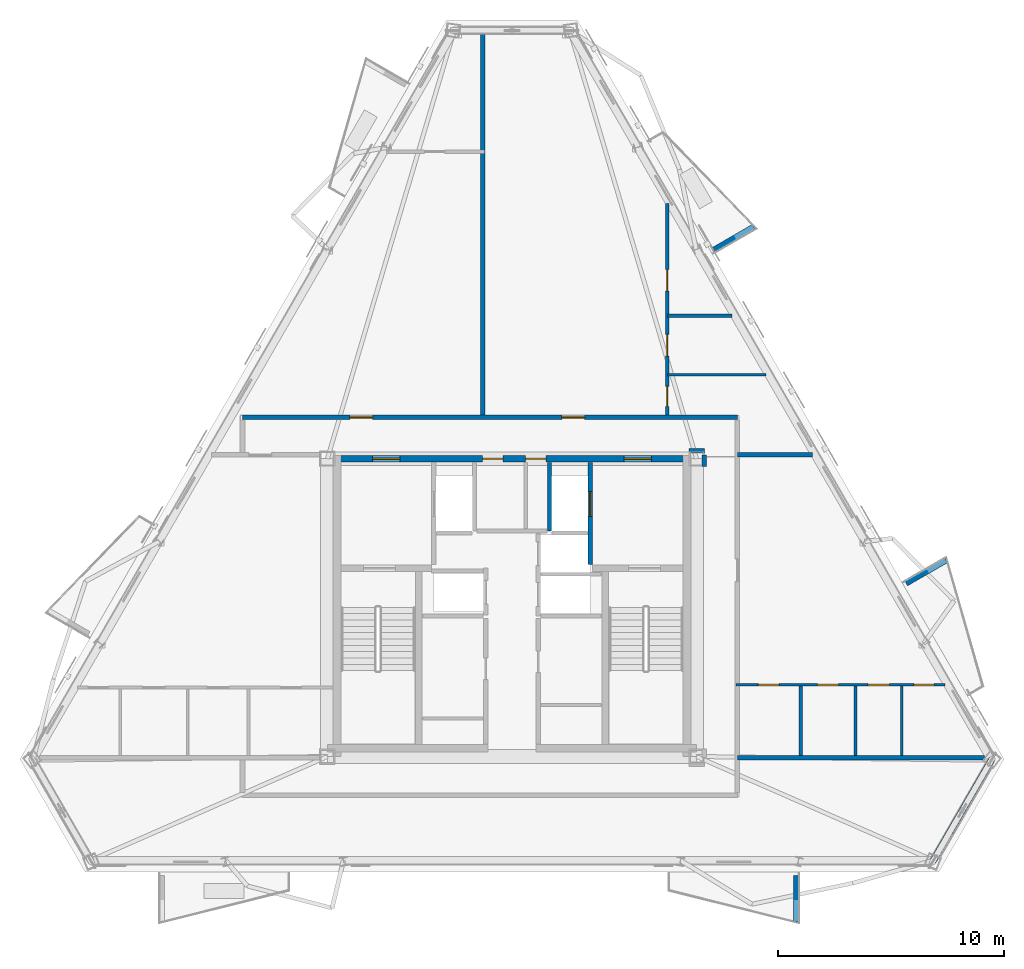
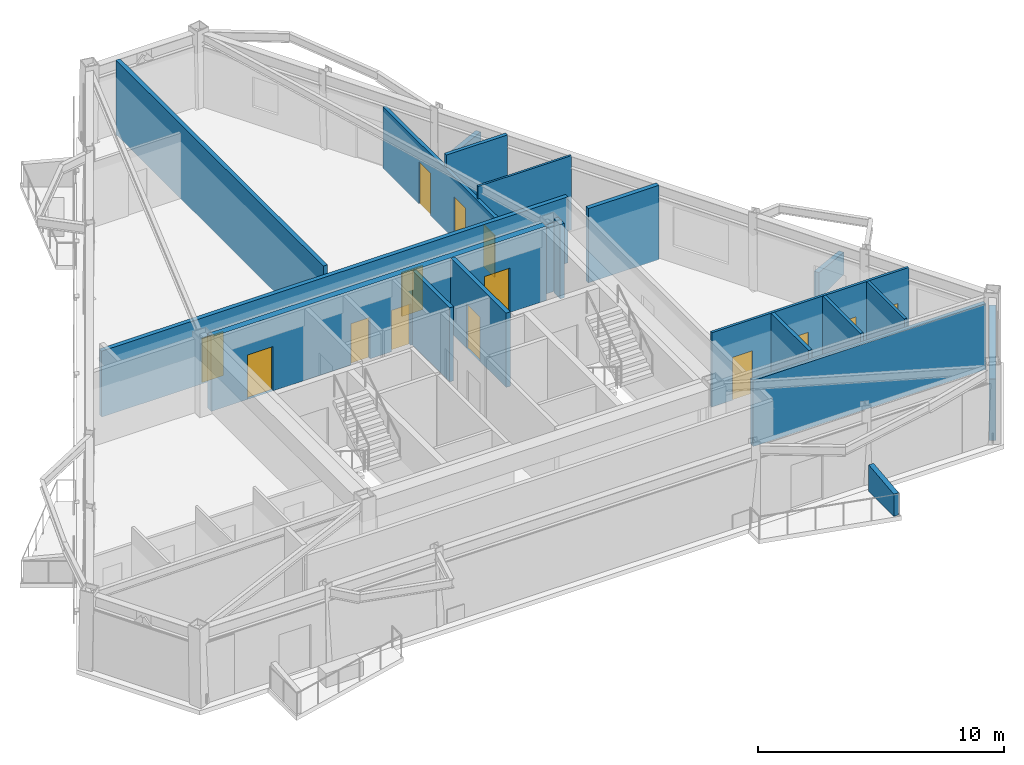
# One storey, part 4 of 9: 20 walls, 14 doors, 14 openings.
"""IFC4 building model written with IfcOpenShell, lengths in metres."""

from ifc_helpers import new_model, si_unit, direction, frame, frame_2d, origin, place, context, subcontext, project, spatial, polyline, rectangle, outline, extrude, material, layer, layer_set, type_object, element, fill, save


model = new_model("IFC4")

# Units and contexts
model_context = context("Model", 3, precision=1e-05, world=origin(), true_north=direction((0.0, 1.0)))
body_context = subcontext(model_context, "Body", "Model", "MODEL_VIEW")
ifc_project = project(units=[si_unit("LENGTHUNIT", "METRE"), si_unit("AREAUNIT", "SQUARE_METRE"), si_unit("VOLUMEUNIT", "CUBIC_METRE"), si_unit("PLANEANGLEUNIT", "RADIAN"), si_unit("MASSUNIT", "GRAM", prefix="KILO")], contexts=[model_context])

# Site, building, storey
site_placement = place(None, origin())
site = spatial("IfcSite", under=ifc_project, at=site_placement, CompositionType="ELEMENT")
building_placement = place(site_placement, origin())
building = spatial("IfcBuilding", under=site, at=building_placement, Name="Oramaril Tower", CompositionType="ELEMENT")
storey_placement = place(building_placement, frame((0.0, 0.0, 257.699951171875)))
storey = spatial("IfcBuildingStorey", under=building, at=storey_placement, Name="L68", CompositionType="ELEMENT", Elevation=257.699951171875)

# Walls
ifc_material_1 = material(Name="Warm Cream Limestone", Category="masonry")
ifc_layer_1 = layer(ifc_material_1, 0.2900390625)
ifc_layer_set_1 = layer_set([ifc_layer_1], Name="WT-EXT29")
wall_type_1 = type_object("IfcWallType", Name="WT-EXT29", PredefinedType="SOLIDWALL", material=ifc_layer_set_1)
wall_1_placement = place(storey_placement, frame((56.07568359375, 6.353515625, 0.0), z_axis=(0.0, 0.0, 1.0), x_axis=(0.500017221754, 0.866015460572, 0.0)))
element("IfcWall", 1, at=wall_1_placement, inside=storey, type_object=wall_type_1, Name="L68 Tower Limestone Facade Wall 3M", PredefinedType="SOLIDWALL", context=body_context, shape_type="SweptSolid", body=[
    extrude(rectangle(XDim=5.233642578125, YDim=0.2900390625, at=frame_2d((2.61669921875, 0.0))), origin(), (0.0, 0.0, 1.0), 3.05810546875),
])
ifc_material_2 = material(Name="Concrete C40/50", Category="concrete")
ifc_layer_2 = layer(ifc_material_2, 0.22998046875)
ifc_layer_set_2 = layer_set([ifc_layer_2], Name="WT-PRP23")
wall_type_2 = type_object("IfcWallType", Name="WT-PRP23", PredefinedType="PARAPET", material=ifc_layer_set_2)
for number, where, z_axis, x_axis, name in (
    (2, (50.036376953125, 5.755615234375, 0.0), (0.0, 0.0, 1.0), (0.0, -1.0, 0.0), "L68 Trapezoidal Balcony Frame Cheek L68-BAL-S2-R"),
    (3, (54.908203125, 18.63671875, 0.0), (0.0, 0.0, 1.0), (0.866042246008, 0.499970827278, 0.0), "L68 Trapezoidal Balcony Frame Cheek L68-BAL-NE1-R"),
    (4, (46.3994140625, 33.37451171875, 0.0), (0.0, 0.0, 1.0), (0.866012356593, 0.500022597718, 0.0), "L68 Trapezoidal Balcony Frame Cheek L68-BAL-NE2-L"),
):
    element("IfcWall", number, at=place(storey_placement, frame(where, z_axis=z_axis, x_axis=x_axis)), inside=storey, type_object=wall_type_2, Name=name, PredefinedType="PARAPET", context=body_context, shape_type="SweptSolid", body=[
        extrude(outline(polyline([(0.0, 0.0), (2.0419921875, 0.0), (2.0419921875, 1.10009765625), (0.0, 1.320068359375), (0.0, 0.0)])), frame((0.0, 0.114990234375, 0.0), z_axis=(0.0, -1.0, 0.0), x_axis=(1.0, 0.0, 0.0)), (0.0, 0.0, 1.0), 0.22998046875),
    ])
ifc_material_3 = material(Name="Acoustic Gypsum Board Partition")
ifc_layer_3 = layer(ifc_material_3, 0.10009765625)
ifc_layer_set_3 = layer_set([ifc_layer_3], Name="WT-PT10")
wall_type_3 = type_object("IfcWallType", Name="WT-PT10", PredefinedType="PARTITIONING", material=ifc_layer_set_3)
wall_2_placement = place(storey_placement, frame((44.35546875, 27.860107421875, 0.0), z_axis=(0.0, 0.0, 1.0), x_axis=(1.0, 0.0, 0.0)))
element("IfcWall", 5, at=wall_2_placement, inside=storey, type_object=wall_type_3, Name="L68 Interior Partition PT-10", PredefinedType="PARTITIONING", context=body_context, shape_type="SweptSolid", body=[
    extrude(rectangle(XDim=4.365234375, YDim=0.10009765625, at=frame_2d((2.1826171875, 0.0))), origin(), (0.0, 0.0, 1.0), 3.679931640625),
])

# Wall, openings, doors
ifc_material_4 = material(Name="Acoustic Gypsum Board Partition")
ifc_layer_4 = layer(ifc_material_4, 0.1201171875)
ifc_layer_set_4 = layer_set([ifc_layer_4], Name="WT-PT12")
wall_type_4 = type_object("IfcWallType", Name="WT-PT12", PredefinedType="PARTITIONING", material=ifc_layer_set_4)
wall_3_placement = place(storey_placement, frame((47.39990234375, 14.169921875, 0.0), z_axis=(0.0, 0.0, 1.0), x_axis=(1.0, 0.0, 0.0)))
wall_3 = element("IfcWall", 6, at=wall_3_placement, inside=storey, type_object=wall_type_4, Name="L68 Interior Partition PT-12", PredefinedType="PARTITIONING", context=body_context, shape_type="SweptSolid", body=[
    extrude(rectangle(XDim=9.224609375, YDim=0.1201171875, at=frame_2d((4.6123046875, 0.0))), origin(), (0.0, 0.0, 1.0), 3.679931640625),
])
opening_1_placement = place(wall_3_placement, frame((0.975341796875, 0.0, 0.0)))
opening_1 = element("IfcOpeningElement", 7, at=opening_1_placement, cuts=wall_3, Name="Opening D-L68-05", PredefinedType="OPENING", context=body_context, shape_type="SweptSolid", body=[
    extrude(rectangle(XDim=0.919921875, YDim=2.1201171875, at=frame_2d((0.4599609375, 1.06005859375))), frame((0.0, 0.06005859375, 0.0), z_axis=(0.0, -1.0, 0.0), x_axis=(1.0, 0.0, 0.0)), (0.0, 0.0, 1.0), 0.1201171875),
])
opening_2_placement = place(wall_3_placement, frame((3.596435546875, 0.0, 0.0)))
opening_2 = element("IfcOpeningElement", 8, at=opening_2_placement, cuts=wall_3, Name="Opening D-L68-06", PredefinedType="OPENING", context=body_context, shape_type="SweptSolid", body=[
    extrude(rectangle(XDim=0.919921875, YDim=2.1201171875, at=frame_2d((0.4599609375, 1.06005859375))), frame((0.0, 0.06005859375, 0.0), z_axis=(0.0, -1.0, 0.0), x_axis=(1.0, 0.0, 0.0)), (0.0, 0.0, 1.0), 0.1201171875),
])
opening_3_placement = place(wall_3_placement, frame((5.81201171875, 0.0, 0.0)))
opening_3 = element("IfcOpeningElement", 9, at=opening_3_placement, cuts=wall_3, Name="Opening D-L68-07", PredefinedType="OPENING", context=body_context, shape_type="SweptSolid", body=[
    extrude(rectangle(XDim=0.949951171875, YDim=2.10009765625, at=frame_2d((0.47509765625, 1.050048828125))), frame((0.0, 0.06005859375, 0.0), z_axis=(0.0, -1.0, 0.0), x_axis=(1.0, 0.0, 0.0)), (0.0, 0.0, 1.0), 0.1201171875),
])
opening_4_placement = place(wall_3_placement, frame((7.8427734375, 0.0, 0.0)))
opening_4 = element("IfcOpeningElement", 10, at=opening_4_placement, cuts=wall_3, Name="Opening D-L68-08", PredefinedType="OPENING", context=body_context, shape_type="SweptSolid", body=[
    extrude(rectangle(XDim=0.8798828125, YDim=2.080078125, at=frame_2d((0.43994140625, 1.0400390625))), frame((0.0, 0.06005859375, 0.0), z_axis=(0.0, -1.0, 0.0), x_axis=(1.0, 0.0, 0.0)), (0.0, 0.0, 1.0), 0.1201171875),
])
ifc_material_5 = material(Name="FSC Brazilian Freijo Hardwood", Category="wood")
door_type_1 = type_object("IfcDoorType", Name="DT-BATH", OperationType="NOTDEFINED", PredefinedType="DOOR", material=ifc_material_5)
door_1_placement = place(opening_4_placement, origin())
door_1 = element("IfcDoor", 11, at=door_1_placement, inside=storey, type_object=door_type_1, Name="L68 Flat L68-U3 Bathroom Door D-L68-08", OperationType="SINGLE_SWING_LEFT", OverallHeight=2.080078125, OverallWidth=0.8798828125, PredefinedType="DOOR", context=body_context, shape_type="SweptSolid", body=[
    extrude(rectangle(XDim=0.8798828125, YDim=2.080078125, at=frame_2d((0.43994140625, 1.0400390625))), frame((0.0, 0.02490234375, 0.0), z_axis=(0.0, -1.0, 0.0), x_axis=(1.0, 0.0, 0.0)), (0.0, 0.0, 1.0), 0.050048828125),
])
fill(opening_4, door_1)
ifc_material_6 = material(Name="FSC Brazilian Freijo Hardwood", Category="wood")
door_type_2 = type_object("IfcDoorType", Name="DT-BED", OperationType="NOTDEFINED", PredefinedType="DOOR", material=ifc_material_6)
door_2_placement = place(opening_1_placement, origin())
door_2 = element("IfcDoor", 12, at=door_2_placement, inside=storey, type_object=door_type_2, Name="L68 Flat L68-U3 Master Bedroom Door D-L68-05", OperationType="SINGLE_SWING_RIGHT", OverallHeight=2.1201171875, OverallWidth=0.919921875, PredefinedType="DOOR", context=body_context, shape_type="SweptSolid", body=[
    extrude(rectangle(XDim=0.919921875, YDim=2.1201171875, at=frame_2d((0.4599609375, 1.06005859375))), frame((0.0, 0.02490234375, 0.0), z_axis=(0.0, -1.0, 0.0), x_axis=(1.0, 0.0, 0.0)), (0.0, 0.0, 1.0), 0.050048828125),
])
fill(opening_1, door_2)
door_3_placement = place(opening_2_placement, origin())
door_3 = element("IfcDoor", 13, at=door_3_placement, inside=storey, type_object=door_type_2, Name="L68 Flat L68-U3 Bedroom 2 Door D-L68-06", OperationType="SINGLE_SWING_LEFT", OverallHeight=2.1201171875, OverallWidth=0.919921875, PredefinedType="DOOR", context=body_context, shape_type="SweptSolid", body=[
    extrude(rectangle(XDim=0.919921875, YDim=2.1201171875, at=frame_2d((0.4599609375, 1.06005859375))), frame((0.0, 0.02490234375, 0.0), z_axis=(0.0, -1.0, 0.0), x_axis=(1.0, 0.0, 0.0)), (0.0, 0.0, 1.0), 0.050048828125),
])
fill(opening_2, door_3)
ifc_material_7 = material(Name="FSC Brazilian Freijo Hardwood", Category="wood")
door_type_3 = type_object("IfcDoorType", Name="DT-STDY", OperationType="NOTDEFINED", PredefinedType="DOOR", material=ifc_material_7)
door_4_placement = place(opening_3_placement, origin())
door_4 = element("IfcDoor", 14, at=door_4_placement, inside=storey, type_object=door_type_3, Name="L68 Flat L68-U3 Kitchen Door D-L68-07", OperationType="SINGLE_SWING_RIGHT", OverallHeight=2.10009765625, OverallWidth=0.949951171875, PredefinedType="DOOR", context=body_context, shape_type="SweptSolid", body=[
    extrude(rectangle(XDim=0.949951171875, YDim=2.10009765625, at=frame_2d((0.47509765625, 1.050048828125))), frame((0.0, 0.02490234375, 0.0), z_axis=(0.0, -1.0, 0.0), x_axis=(1.0, 0.0, 0.0)), (0.0, 0.0, 1.0), 0.050048828125),
])
fill(opening_3, door_4)

# Walls
wall_4_placement = place(storey_placement, frame((54.7099609375, 11.053955078125, 0.0), z_axis=(0.0, 0.0, 1.0), x_axis=(0.0, 1.0, 0.0)))
element("IfcWall", 15, at=wall_4_placement, inside=storey, type_object=wall_type_4, Name="L68 Interior Partition PT-12", PredefinedType="PARTITIONING", context=body_context, shape_type="SweptSolid", body=[
    extrude(rectangle(XDim=3.052001953125, YDim=0.1201171875, at=frame_2d((1.52587890625, 0.0))), origin(), (0.0, 0.0, 1.0), 3.679931640625),
])
ifc_material_8 = material(Name="Acoustic Gypsum Board Partition")
ifc_layer_5 = layer(ifc_material_8, 0.139892578125)
ifc_layer_set_5 = layer_set([ifc_layer_5], Name="WT-PT14")
wall_type_5 = type_object("IfcWallType", Name="WT-PT14", PredefinedType="PARTITIONING", material=ifc_layer_set_5)
wall_5_placement = place(storey_placement, frame((52.659912109375, 11.053955078125, 0.0), z_axis=(0.0, 0.0, 1.0), x_axis=(0.0, 1.0, 0.0)))
element("IfcWall", 16, at=wall_5_placement, inside=storey, type_object=wall_type_5, Name="L68 Interior Partition PT-14", PredefinedType="PARTITIONING", context=body_context, shape_type="SweptSolid", body=[
    extrude(rectangle(XDim=3.052001953125, YDim=0.139892578125, at=frame_2d((1.52587890625, 0.0))), origin(), (0.0, 0.0, 1.0), 3.679931640625),
])
ifc_material_9 = material(Name="Acoustic Gypsum Board Partition")
ifc_layer_6 = layer(ifc_material_9, 0.159912109375)
ifc_layer_set_6 = layer_set([ifc_layer_6], Name="WT-PT16")
wall_type_6 = type_object("IfcWallType", Name="WT-PT16", PredefinedType="PARTITIONING", material=ifc_layer_set_6)
wall_6_placement = place(storey_placement, frame((44.35546875, 30.4599609375, 0.0), z_axis=(0.0, 0.0, 1.0), x_axis=(1.0, 0.0, 0.0)))
element("IfcWall", 17, at=wall_6_placement, inside=storey, type_object=wall_type_6, Name="L68 Interior Partition PT-16", PredefinedType="PARTITIONING", context=body_context, shape_type="SweptSolid", body=[
    extrude(rectangle(XDim=2.864013671875, YDim=0.159912109375, at=frame_2d((1.43212890625, 0.0))), origin(), (0.0, 0.0, 1.0), 3.679931640625),
])

# Wall, openings, doors
wall_7_placement = place(storey_placement, frame((44.360107421875, 26.073974609375, 0.0), z_axis=(0.0, 0.0, 1.0), x_axis=(0.0, 1.0, 0.0)))
wall_7 = element("IfcWall", 18, at=wall_7_placement, inside=storey, type_object=wall_type_6, Name="L68 Interior Partition PT-16", PredefinedType="PARTITIONING", context=body_context, shape_type="SweptSolid", body=[
    extrude(rectangle(XDim=9.3388671875, YDim=0.159912109375, at=frame_2d((4.66943359375, 0.0))), origin(), (0.0, 0.0, 1.0), 3.05810546875),
])
opening_5_placement = place(wall_7_placement, frame((0.385986328125, 0.0, 0.0)))
opening_5 = element("IfcOpeningElement", 19, at=opening_5_placement, cuts=wall_7, Name="Opening D-L68-13", PredefinedType="OPENING", context=body_context, shape_type="SweptSolid", body=[
    extrude(rectangle(XDim=0.8798828125, YDim=2.080078125, at=frame_2d((0.43994140625, 1.0400390625))), frame((0.0, 0.080078125, 0.0), z_axis=(0.0, -1.0, 0.0), x_axis=(1.0, 0.0, 0.0)), (0.0, 0.0, 1.0), 0.159912109375),
])
opening_6_placement = place(wall_7_placement, frame((2.613037109375, 0.0, 0.0)))
opening_6 = element("IfcOpeningElement", 20, at=opening_6_placement, cuts=wall_7, Name="Opening D-L68-14", PredefinedType="OPENING", context=body_context, shape_type="SweptSolid", body=[
    extrude(rectangle(XDim=0.949951171875, YDim=2.10009765625, at=frame_2d((0.47509765625, 1.050048828125))), frame((0.0, 0.080078125, 0.0), z_axis=(0.0, -1.0, 0.0), x_axis=(1.0, 0.0, 0.0)), (0.0, 0.0, 1.0), 0.159912109375),
])
opening_7_placement = place(wall_7_placement, frame((5.47119140625, 0.0, 0.0)))
opening_7 = element("IfcOpeningElement", 21, at=opening_7_placement, cuts=wall_7, Name="Opening D-L68-15", PredefinedType="OPENING", context=body_context, shape_type="SweptSolid", body=[
    extrude(rectangle(XDim=0.949951171875, YDim=2.10009765625, at=frame_2d((0.47509765625, 1.050048828125))), frame((0.0, 0.080078125, 0.0), z_axis=(0.0, -1.0, 0.0), x_axis=(1.0, 0.0, 0.0)), (0.0, 0.0, 1.0), 0.159912109375),
])
door_5_placement = place(opening_5_placement, origin())
door_5 = element("IfcDoor", 22, at=door_5_placement, inside=storey, type_object=door_type_1, Name="L68 Flat L68-U5 Bathroom Door D-L68-13", OperationType="SINGLE_SWING_RIGHT", OverallHeight=2.080078125, OverallWidth=0.8798828125, PredefinedType="DOOR", context=body_context, shape_type="SweptSolid", body=[
    extrude(rectangle(XDim=0.8798828125, YDim=2.080078125, at=frame_2d((0.43994140625, 1.0400390625))), frame((0.0, 0.02490234375, 0.0), z_axis=(0.0, -1.0, 0.0), x_axis=(1.0, 0.0, 0.0)), (0.0, 0.0, 1.0), 0.050048828125),
])
fill(opening_5, door_5)
door_6_placement = place(opening_6_placement, origin())
door_6 = element("IfcDoor", 23, at=door_6_placement, inside=storey, type_object=door_type_3, Name="L68 Flat L68-U5 Kitchen Door D-L68-14", OperationType="SINGLE_SWING_LEFT", OverallHeight=2.10009765625, OverallWidth=0.949951171875, PredefinedType="DOOR", context=body_context, shape_type="SweptSolid", body=[
    extrude(rectangle(XDim=0.949951171875, YDim=2.10009765625, at=frame_2d((0.47509765625, 1.050048828125))), frame((0.0, 0.02490234375, 0.0), z_axis=(0.0, -1.0, 0.0), x_axis=(1.0, 0.0, 0.0)), (0.0, 0.0, 1.0), 0.050048828125),
])
fill(opening_6, door_6)
door_7_placement = place(opening_7_placement, origin())
door_7 = element("IfcDoor", 24, at=door_7_placement, inside=storey, type_object=door_type_3, Name="L68 Flat L68-U5 Breakfast Dining Room Door D-L68-15", OperationType="SINGLE_SWING_RIGHT", OverallHeight=2.10009765625, OverallWidth=0.949951171875, PredefinedType="DOOR", context=body_context, shape_type="SweptSolid", body=[
    extrude(rectangle(XDim=0.949951171875, YDim=2.10009765625, at=frame_2d((0.47509765625, 1.050048828125))), frame((0.0, 0.02490234375, 0.0), z_axis=(0.0, -1.0, 0.0), x_axis=(1.0, 0.0, 0.0)), (0.0, 0.0, 1.0), 0.050048828125),
])
fill(opening_7, door_7)

# Walls
wall_8_placement = place(storey_placement, frame((50.25, 11.053955078125, 0.0), z_axis=(0.0, 0.0, 1.0), x_axis=(0.0, 1.0, 0.0)))
element("IfcWall", 25, at=wall_8_placement, inside=storey, type_object=wall_type_6, Name="L68 Interior Partition PT-16", PredefinedType="PARTITIONING", context=body_context, shape_type="SweptSolid", body=[
    extrude(rectangle(XDim=3.052001953125, YDim=0.159912109375, at=frame_2d((1.52587890625, 0.0))), origin(), (0.0, 0.0, 1.0), 3.679931640625),
])
ifc_material_10 = material(Name="Autoclaved Cellular Concrete Block", Category="concrete")
ifc_layer_7 = layer(ifc_material_10, 0.179931640625)
ifc_layer_set_7 = layer_set([ifc_layer_7], Name="WT-PT18")
wall_type_7 = type_object("IfcWallType", Name="WT-PT18", PredefinedType="PARTITIONING", material=ifc_layer_set_7)
wall_9_placement = place(storey_placement, frame((39.159912109375, 20.9599609375, 0.0), z_axis=(0.0, 0.0, 1.0), x_axis=(0.0, 1.0, 0.0)))
element("IfcWall", 26, at=wall_9_placement, inside=storey, type_object=wall_type_7, Name="L68 FL-2 West Shaft Wall", PredefinedType="PARTITIONING", context=body_context, shape_type="SweptSolid", body=[
    extrude(rectangle(XDim=3.02001953125, YDim=0.179931640625, at=frame_2d((1.510009765625, 0.0))), origin(), (0.0, 0.0, 1.0), 3.679931640625),
])
ifc_material_11 = material(Name="Autoclaved Cellular Concrete Block", Category="concrete")
ifc_layer_8 = layer(ifc_material_11, 0.199951171875)
ifc_layer_set_8 = layer_set([ifc_layer_8], Name="WT-PT20")
wall_type_8 = type_object("IfcWallType", Name="WT-PT20", PredefinedType="PARTITIONING", material=ifc_layer_set_8)
wall_10_placement = place(storey_placement, frame((47.449951171875, 10.949951171875, 0.0), z_axis=(0.0, 0.0, 1.0), x_axis=(1.0, 0.0, 0.0)))
element("IfcWall", 27, at=wall_10_placement, inside=storey, type_object=wall_type_8, Name="L68 Interior Partition PT-20", PredefinedType="PARTITIONING", context=body_context, shape_type="SweptSolid", body=[
    extrude(rectangle(XDim=10.907470703125, YDim=0.199951171875, at=frame_2d((5.45361328125, 0.0))), origin(), (0.0, 0.0, 1.0), 3.26611328125),
])
wall_11_placement = place(storey_placement, frame((47.449951171875, 24.320068359375, 0.0), z_axis=(0.0, 0.0, 1.0), x_axis=(1.0, 0.0, 0.0)))
element("IfcWall", 28, at=wall_11_placement, inside=storey, type_object=wall_type_8, Name="L68 Interior Partition PT-20", PredefinedType="PARTITIONING", context=body_context, shape_type="SweptSolid", body=[
    extrude(rectangle(XDim=3.314453125, YDim=0.199951171875, at=frame_2d((1.6572265625, 0.0))), origin(), (0.0, 0.0, 1.0), 3.679931640625),
])
wall_12_placement = place(storey_placement, frame((45.304931640625, 24.5, 0.0), z_axis=(0.0, 0.0, 1.0), x_axis=(1.0, 0.0, 0.0)))
element("IfcWall", 29, at=wall_12_placement, inside=storey, type_object=wall_type_8, Name="L68 Interior Partition PT-20", PredefinedType="PARTITIONING", context=body_context, shape_type="SweptSolid", body=[
    extrude(rectangle(XDim=0.690185546875, YDim=0.199951171875, at=frame_2d((0.34521484375, 0.0))), origin(), (0.0, 0.0, 1.0), 3.26611328125),
])

# Wall, openings, doors
wall_13_placement = place(storey_placement, frame((25.60009765625, 25.969970703125, 0.0), z_axis=(0.0, 0.0, 1.0), x_axis=(1.0, 0.0, 0.0)))
wall_13 = element("IfcWall", 30, at=wall_13_placement, inside=storey, type_object=wall_type_8, Name="L68 Interior Partition PT-20", PredefinedType="PARTITIONING", context=body_context, shape_type="SweptSolid", body=[
    extrude(rectangle(XDim=21.849853515625, YDim=0.199951171875, at=frame_2d((10.9248046875, 0.0))), origin(), (0.0, 0.0, 1.0), 3.26611328125),
])
opening_8_placement = place(wall_13_placement, frame((4.74658203125, 0.0, 0.0)))
opening_8 = element("IfcOpeningElement", 31, at=opening_8_placement, cuts=wall_13, Name="Opening D-L68-10", PredefinedType="OPENING", context=body_context, shape_type="SweptSolid", body=[
    extrude(rectangle(XDim=1.0, YDim=2.179931640625, at=frame_2d((0.5, 1.08984375))), frame((0.0, 0.10009765625, 0.0), z_axis=(0.0, -1.0, 0.0), x_axis=(1.0, 0.0, 0.0)), (0.0, 0.0, 1.0), 0.199951171875),
])
opening_9_placement = place(wall_13_placement, frame((14.103759765625, 0.0, 0.0)))
opening_9 = element("IfcOpeningElement", 32, at=opening_9_placement, cuts=wall_13, Name="Opening D-L68-11", PredefinedType="OPENING", context=body_context, shape_type="SweptSolid", body=[
    extrude(rectangle(XDim=1.0, YDim=2.179931640625, at=frame_2d((0.5, 1.08984375))), frame((0.0, 0.10009765625, 0.0), z_axis=(0.0, -1.0, 0.0), x_axis=(1.0, 0.0, 0.0)), (0.0, 0.0, 1.0), 0.199951171875),
])
ifc_material_12 = material(Name="FSC Brazilian Freijo Hardwood", Category="wood")
door_type_4 = type_object("IfcDoorType", Name="DT-APT", OperationType="NOTDEFINED", PredefinedType="DOOR", material=ifc_material_12)
door_8_placement = place(opening_8_placement, origin())
door_8 = element("IfcDoor", 33, at=door_8_placement, inside=storey, type_object=door_type_4, Name="L68 Flat L68-U4 Kitchen and Studio Apartment Door D-L68-10", OperationType="SINGLE_SWING_LEFT", OverallHeight=2.179931640625, OverallWidth=1.0, PredefinedType="DOOR", context=body_context, shape_type="SweptSolid", body=[
    extrude(rectangle(XDim=1.0, YDim=2.179931640625, at=frame_2d((0.5, 1.08984375))), frame((0.0, 0.02490234375, 0.0), z_axis=(0.0, -1.0, 0.0), x_axis=(1.0, 0.0, 0.0)), (0.0, 0.0, 1.0), 0.050048828125),
])
fill(opening_8, door_8)
door_9_placement = place(opening_9_placement, origin())
door_9 = element("IfcDoor", 34, at=door_9_placement, inside=storey, type_object=door_type_4, Name="L68 Flat L68-U5 Studio Apartment Door D-L68-11", OperationType="SINGLE_SWING_RIGHT", OverallHeight=2.179931640625, OverallWidth=1.0, PredefinedType="DOOR", context=body_context, shape_type="SweptSolid", body=[
    extrude(rectangle(XDim=1.0, YDim=2.179931640625, at=frame_2d((0.5, 1.08984375))), frame((0.0, 0.02490234375, 0.0), z_axis=(0.0, -1.0, 0.0), x_axis=(1.0, 0.0, 0.0)), (0.0, 0.0, 1.0), 0.050048828125),
])
fill(opening_9, door_9)

# Walls
wall_14_placement = place(storey_placement, frame((36.199951171875, 26.073974609375, 0.0), z_axis=(0.0, 0.0, 1.0), x_axis=(0.0, 1.0, 0.0)))
element("IfcWall", 35, at=wall_14_placement, inside=storey, type_object=wall_type_8, Name="L68 Interior Partition PT-20", PredefinedType="PARTITIONING", context=body_context, shape_type="SweptSolid", body=[
    extrude(rectangle(XDim=16.83740234375, YDim=0.199951171875, at=frame_2d((8.418701171875, 0.0))), origin(), (0.0, 0.0, 1.0), 3.679931640625),
])
wall_15_placement = place(storey_placement, frame((45.989990234375, 23.81005859375, 0.0), z_axis=(0.0, 0.0, 1.0), x_axis=(0.0, 1.0, 0.0)))
element("IfcWall", 36, at=wall_15_placement, inside=storey, type_object=wall_type_8, Name="L68 Interior Partition PT-20", PredefinedType="PARTITIONING", context=body_context, shape_type="SweptSolid", body=[
    extrude(rectangle(XDim=0.510009765625, YDim=0.199951171875, at=frame_2d((0.2548828125, 0.0))), origin(), (0.0, 0.0, 1.0), 3.679931640625),
])

# Wall, openings, doors
ifc_material_13 = material(Name="Concrete C50/60", Category="concrete")
ifc_layer_9 = layer(ifc_material_13, 0.300048828125)
ifc_layer_set_9 = layer_set([ifc_layer_9], Name="WT-SH30")
wall_type_9 = type_object("IfcWallType", Name="WT-SH30", PredefinedType="SHEAR", material=ifc_layer_set_9)
wall_16_placement = place(storey_placement, frame((29.64990234375, 24.14990234375, 0.0), z_axis=(0.0, 0.0, 1.0), x_axis=(1.0, 0.0, 0.0)))
wall_16 = element("IfcWall", 37, at=wall_16_placement, inside=storey, type_object=wall_type_9, Name="L68 Core Shear Wall CW-N", PredefinedType="SHEAR", context=body_context, shape_type="SweptSolid", body=[
    extrude(rectangle(XDim=15.7001953125, YDim=0.300048828125, at=frame_2d((7.85009765625, 0.0))), origin(), (0.0, 0.0, 1.0), 3.679931640625),
])
opening_10_placement = place(wall_16_placement, frame((1.699951171875, 0.0, 0.0)))
opening_10 = element("IfcOpeningElement", 38, at=opening_10_placement, cuts=wall_16, Name="Opening D-L68-FFL1", PredefinedType="OPENING", context=body_context, shape_type="SweptSolid", body=[
    extrude(rectangle(XDim=1.199951171875, YDim=2.199951171875, at=frame_2d((0.60009765625, 1.10009765625))), frame((0.0, 0.14990234375, 0.0), z_axis=(0.0, -1.0, 0.0), x_axis=(1.0, 0.0, 0.0)), (0.0, 0.0, 1.0), 0.300048828125),
])
opening_11_placement = place(wall_16_placement, frame((12.800048828125, 0.0, 0.0)))
opening_11 = element("IfcOpeningElement", 39, at=opening_11_placement, cuts=wall_16, Name="Opening D-L68-FFL2", PredefinedType="OPENING", context=body_context, shape_type="SweptSolid", body=[
    extrude(rectangle(XDim=1.199951171875, YDim=2.199951171875, at=frame_2d((0.60009765625, 1.10009765625))), frame((0.0, 0.14990234375, 0.0), z_axis=(0.0, -1.0, 0.0), x_axis=(1.0, 0.0, 0.0)), (0.0, 0.0, 1.0), 0.300048828125),
])
opening_12_placement = place(wall_16_placement, frame((6.550048828125, 0.0, 0.0)))
opening_12 = element("IfcOpeningElement", 40, at=opening_12_placement, cuts=wall_16, Name="Opening D-L68-SV1", PredefinedType="OPENING", context=body_context, shape_type="SweptSolid", body=[
    extrude(rectangle(XDim=0.89990234375, YDim=2.050048828125, at=frame_2d((0.449951171875, 1.02490234375))), frame((0.0, 0.14990234375, 0.0), z_axis=(0.0, -1.0, 0.0), x_axis=(1.0, 0.0, 0.0)), (0.0, 0.0, 1.0), 0.300048828125),
])
opening_13_placement = place(wall_16_placement, frame((8.449951171875, 0.0, 0.0)))
opening_13 = element("IfcOpeningElement", 41, at=opening_13_placement, cuts=wall_16, Name="Opening D-L68-SV2", PredefinedType="OPENING", context=body_context, shape_type="SweptSolid", body=[
    extrude(rectangle(XDim=0.89990234375, YDim=2.050048828125, at=frame_2d((0.449951171875, 1.02490234375))), frame((0.0, 0.14990234375, 0.0), z_axis=(0.0, -1.0, 0.0), x_axis=(1.0, 0.0, 0.0)), (0.0, 0.0, 1.0), 0.300048828125),
])
ifc_material_14 = material(Name="Painted Galvanised Steel", Category="steel")
door_type_5 = type_object("IfcDoorType", Name="DT-FFL", OperationType="NOTDEFINED", PredefinedType="DOOR", material=ifc_material_14)
door_10_placement = place(opening_10_placement, origin())
door_10 = element("IfcDoor", 42, at=door_10_placement, inside=storey, type_object=door_type_5, Name="L68 Firefighting Lobby 1 Fire Door", OperationType="SINGLE_SWING_LEFT", OverallHeight=2.199951171875, OverallWidth=1.199951171875, PredefinedType="DOOR", context=body_context, shape_type="SweptSolid", body=[
    extrude(rectangle(XDim=1.199951171875, YDim=2.199951171875, at=frame_2d((0.60009765625, 1.10009765625))), frame((0.0, 0.02490234375, 0.0), z_axis=(0.0, -1.0, 0.0), x_axis=(1.0, 0.0, 0.0)), (0.0, 0.0, 1.0), 0.050048828125),
])
fill(opening_10, door_10)
door_11_placement = place(opening_11_placement, origin())
door_11 = element("IfcDoor", 43, at=door_11_placement, inside=storey, type_object=door_type_5, Name="L68 Firefighting Lobby 2 Fire Door", OperationType="SINGLE_SWING_RIGHT", OverallHeight=2.199951171875, OverallWidth=1.199951171875, PredefinedType="DOOR", context=body_context, shape_type="SweptSolid", body=[
    extrude(rectangle(XDim=1.199951171875, YDim=2.199951171875, at=frame_2d((0.60009765625, 1.10009765625))), frame((0.0, 0.02490234375, 0.0), z_axis=(0.0, -1.0, 0.0), x_axis=(1.0, 0.0, 0.0)), (0.0, 0.0, 1.0), 0.050048828125),
])
fill(opening_11, door_11)
ifc_material_15 = material(Name="Painted Galvanised Steel", Category="steel")
door_type_6 = type_object("IfcDoorType", Name="DT-SVC", OperationType="NOTDEFINED", PredefinedType="DOOR", material=ifc_material_15)
door_12_placement = place(opening_12_placement, origin())
door_12 = element("IfcDoor", 44, at=door_12_placement, inside=storey, type_object=door_type_6, Name="L68 Core Service Store 1 Door", OperationType="SINGLE_SWING_LEFT", OverallHeight=2.050048828125, OverallWidth=0.89990234375, PredefinedType="DOOR", context=body_context, shape_type="SweptSolid", body=[
    extrude(rectangle(XDim=0.89990234375, YDim=2.050048828125, at=frame_2d((0.449951171875, 1.02490234375))), frame((0.0, 0.02490234375, 0.0), z_axis=(0.0, -1.0, 0.0), x_axis=(1.0, 0.0, 0.0)), (0.0, 0.0, 1.0), 0.050048828125),
])
fill(opening_12, door_12)
door_13_placement = place(opening_13_placement, origin())
door_13 = element("IfcDoor", 45, at=door_13_placement, inside=storey, type_object=door_type_6, Name="L68 Core Service Store 2 Door", OperationType="SINGLE_SWING_RIGHT", OverallHeight=2.050048828125, OverallWidth=0.89990234375, PredefinedType="DOOR", context=body_context, shape_type="SweptSolid", body=[
    extrude(rectangle(XDim=0.89990234375, YDim=2.050048828125, at=frame_2d((0.449951171875, 1.02490234375))), frame((0.0, 0.02490234375, 0.0), z_axis=(0.0, -1.0, 0.0), x_axis=(1.0, 0.0, 0.0)), (0.0, 0.0, 1.0), 0.050048828125),
])
fill(opening_13, door_13)

# Wall, opening, door
ifc_material_16 = material(Name="Autoclaved Cellular Concrete Block", Category="concrete")
ifc_layer_10 = layer(ifc_material_16, 0.199951171875)
ifc_layer_set_10 = layer_set([ifc_layer_10], Name="WT-SHF20")
wall_type_10 = type_object("IfcWallType", Name="WT-SHF20", PredefinedType="PARTITIONING", material=ifc_layer_set_10)
wall_17_placement = place(storey_placement, frame((40.9599609375, 19.47998046875, 0.0), z_axis=(0.0, 0.0, 1.0), x_axis=(0.0, 1.0, 0.0)))
wall_17 = element("IfcWall", 46, at=wall_17_placement, inside=storey, type_object=wall_type_10, Name="L68 FL-2 Lobby Shaft Wall", PredefinedType="PARTITIONING", context=body_context, shape_type="SweptSolid", body=[
    extrude(rectangle(XDim=4.5, YDim=0.199951171875, at=frame_2d((2.25, 0.0))), origin(), (0.0, 0.0, 1.0), 3.679931640625),
])
opening_14_placement = place(wall_17_placement, frame((2.1201171875, 0.0, 0.0)))
opening_14 = element("IfcOpeningElement", 47, at=opening_14_placement, cuts=wall_17, Name="Opening LD-L68-FL-2", PredefinedType="OPENING", context=body_context, shape_type="SweptSolid", body=[
    extrude(rectangle(XDim=1.10009765625, YDim=2.199951171875, at=frame_2d((0.550048828125, 1.10009765625))), frame((0.0, 0.10009765625, 0.0), z_axis=(0.0, -1.0, 0.0), x_axis=(1.0, 0.0, 0.0)), (0.0, 0.0, 1.0), 0.199951171875),
])
ifc_material_17 = material(Name="Stainless Steel 316L", Category="steel")
door_type_7 = type_object("IfcDoorType", Name="DT-LD1", OperationType="NOTDEFINED", PredefinedType="DOOR", material=ifc_material_17)
door_14_placement = place(opening_14_placement, origin())
door_14 = element("IfcDoor", 48, at=door_14_placement, inside=storey, type_object=door_type_7, Name="L68 Lift FL-2 Sliding Landing Door", OperationType="SLIDING_TO_RIGHT", OverallHeight=2.199951171875, OverallWidth=1.10009765625, PredefinedType="DOOR", context=body_context, shape_type="SweptSolid", body=[
    extrude(rectangle(XDim=1.10009765625, YDim=2.199951171875, at=frame_2d((0.550048828125, 1.10009765625))), frame((0.0, 0.02490234375, 0.0), z_axis=(0.0, -1.0, 0.0), x_axis=(1.0, 0.0, 0.0)), (0.0, 0.0, 1.0), 0.050048828125),
])
fill(opening_14, door_14)

save(model, "model.ifc")
